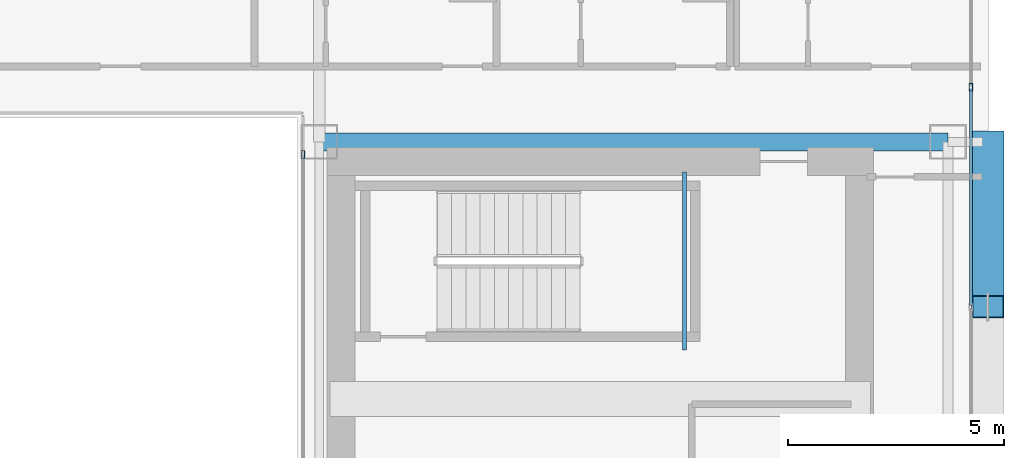
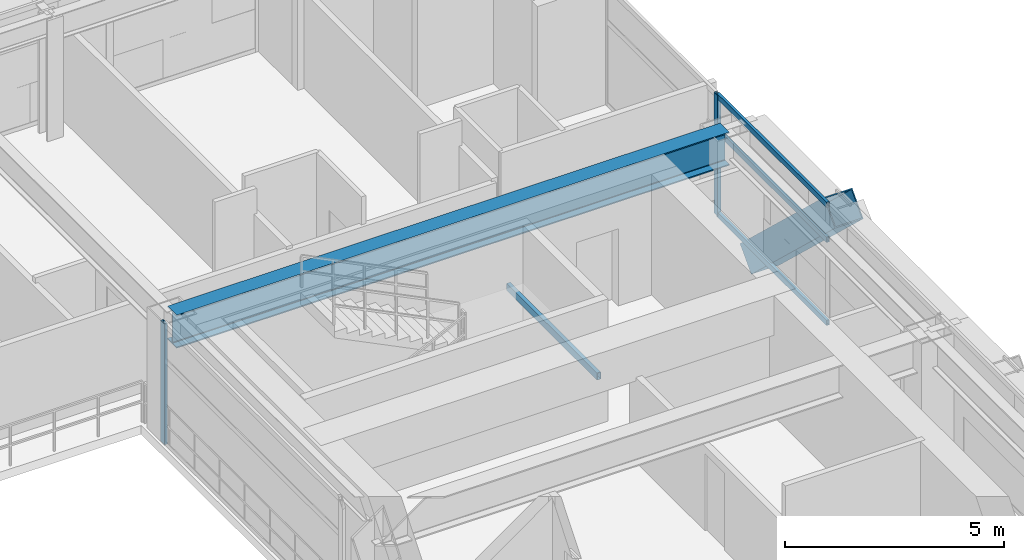
# One storey, part 23 of 39: 6 members, 2 beams, 2 elements without a shape of their own.
"""IFC4 building model written with IfcOpenShell, lengths in metres."""

from ifc_helpers import new_model, si_unit, direction, frame, origin, origin_2d, place, context, subcontext, project, spatial, hollow_rectangle, i_section, extrude, source, transform, mapped, material, layer, layer_set, material_profile, profile_set, type_object, element, aggregate, save


model = new_model("IFC4")

# Units and contexts
model_context = context("Model", 3, precision=1e-05, world=origin(), true_north=direction((0.0, 1.0)))
body_context = subcontext(model_context, "Body", "Model", "MODEL_VIEW")
ifc_project = project(units=[si_unit("LENGTHUNIT", "METRE"), si_unit("AREAUNIT", "SQUARE_METRE"), si_unit("VOLUMEUNIT", "CUBIC_METRE"), si_unit("PLANEANGLEUNIT", "RADIAN"), si_unit("MASSUNIT", "GRAM", prefix="KILO")], contexts=[model_context])

# Site, building, storey
site_placement = place(None, origin())
site = spatial("IfcSite", under=ifc_project, at=site_placement, CompositionType="ELEMENT")
building_placement = place(site_placement, origin())
building = spatial("IfcBuilding", under=site, at=building_placement, Name="Ocotamira Hotel", CompositionType="ELEMENT")
storey_placement = place(building_placement, frame((0.0, 0.0, 126.0)))
storey = spatial("IfcBuildingStorey", under=building, at=storey_placement, Name="L31", CompositionType="ELEMENT", Elevation=126.0)

# Beams
ifc_material_1 = material(Name="Steel ASTM A500 Grade C", Category="steel")
ifc_material_profile_1 = material_profile(ifc_material_1, hollow_rectangle(XDim=0.10009765625, YDim=0.199951171875, WallThickness=0.008056640625, at=origin_2d()), Name="HSS200X100X8")
ifc_profile_set_1 = profile_set([ifc_material_profile_1], Name="Steel ASTM A500 Grade C")
beam_type_1 = type_object("IfcBeamType", Name="BM-STLDG-HSS200", PredefinedType="BEAM", material=ifc_profile_set_1)
shared_shape_1 = source(origin(), body_context, "Body", "SweptSolid", [
    extrude(hollow_rectangle(XDim=0.10009765625, YDim=0.199951171875, WallThickness=0.008056640625, at=origin_2d()), origin(), (0.0, 0.0, 1.0), 4.1201171875),
])
beam_1_placement = place(storey_placement, frame((48.949951171875, 32.6298828125, 1.5), z_axis=(0.0, 1.0, 0.0), x_axis=(-1.0, 0.0, 0.0)))
element("IfcBeam", 1, at=beam_1_placement, inside=storey, type_object=beam_type_1, Name="L31 Stair ST-4 Landing Bearer 1", PredefinedType="BEAM", context=body_context, shape_type="MappedRepresentation", body=[
    mapped(shared_shape_1, transform((0.0, 0.0, 0.0), scale=1.0)),
])
ifc_material_2 = material(Name="Steel ASTM A992 Grade 50", Category="steel")
ifc_material_profile_2 = material_profile(ifc_material_2, i_section(OverallWidth=0.41796875, OverallDepth=0.927001953125, WebThickness=0.019287109375, FlangeThickness=0.031982421875, FilletRadius=0.02392578125, at=origin_2d()), Name="W36X231")
ifc_profile_set_2 = profile_set([ifc_material_profile_2], Name="Steel ASTM A992 Grade 50")
beam_type_2 = type_object("IfcBeamType", Name="BM-GIRD-W36X231", PredefinedType="BEAM", material=ifc_profile_set_2)
shared_shape_2 = source(origin(), body_context, "Body", "SweptSolid", [
    extrude(i_section(OverallWidth=0.41796875, OverallDepth=0.927001953125, WebThickness=0.019287109375, FlangeThickness=0.031982421875, FilletRadius=0.02392578125, at=origin_2d()), origin(), (0.0, 0.0, 1.0), 14.550048828125),
])
beam_2_placement = place(storey_placement, frame((40.5, 37.449951171875, 2.896484375), z_axis=(1.0, 0.0, 0.0), x_axis=(0.0, 1.0, 0.0)))
element("IfcBeam", 2, at=beam_2_placement, inside=storey, type_object=beam_type_2, Name="L31 Girder Y37.45 X40.5-55.05", PredefinedType="BEAM", context=body_context, shape_type="MappedRepresentation", body=[
    mapped(shared_shape_2, transform((0.0, 0.0, 0.0), scale=1.0)),
])

# Member
ifc_material_3 = material(Name="Pale-metal coated steel ASTM A913 Grade 65", Category="steel")
ifc_material_profile_3 = material_profile(ifc_material_3, hollow_rectangle(XDim=0.75, YDim=0.75, WallThickness=0.028076171875, at=origin_2d()), Name="BOX750X750X28")
ifc_profile_set_3 = profile_set([ifc_material_profile_3], Name="Pale-metal coated steel ASTM A913 Grade 65")
member_type_1 = type_object("IfcMemberType", Name="MEM-EXO-BOX750", PredefinedType="BRACE", material=ifc_profile_set_3)
shared_shape_3 = source(origin(), body_context, "Body", "SweptSolid", [
    extrude(hollow_rectangle(XDim=0.75, YDim=0.75, WallThickness=0.028076171875, at=origin_2d()), origin(), (0.0, 0.0, 1.0), 5.24658203125),
])
member_1_placement = place(storey_placement, frame((55.969970703125, 37.449951171875, -0.489990234375), z_axis=(0.0, -0.727442733726, 0.686168397078), x_axis=(1.0, 0.0, 0.0)))
element("IfcMember", 3, at=member_1_placement, inside=storey, type_object=member_type_1, Name="L31 Exoskeleton Diagrid E2.2", PredefinedType="BRACE", context=body_context, shape_type="MappedRepresentation", body=[
    mapped(shared_shape_3, transform((0.0, 0.0, 0.0), scale=1.0)),
])

# Curtain wall, members
ifc_material_4 = material(Name="Anodised pale-metal aluminium and solar glass", Category="aluminium")
ifc_layer_1 = layer(ifc_material_4, 0.179931640625)
ifc_layer_set_1 = layer_set([ifc_layer_1], Name="Anodised pale-metal aluminium and solar glass")
curtain_wall_type_1 = type_object("IfcCurtainWallType", Name="CW-SYS3-Z2", PredefinedType="NOTDEFINED", material=ifc_layer_set_1)
curtain_wall_1_placement = place(storey_placement, origin())
curtain_wall_1 = element("IfcCurtainWall", 4, at=curtain_wall_1_placement, inside=storey, type_object=curtain_wall_type_1, Name="L31 Curtain Wall CW-3 CW-L31-E", PredefinedType="NOTDEFINED")
ifc_material_5 = material(Name="Anodised pale-metal aluminium 6063-T6", Category="aluminium")
ifc_material_profile_4 = material_profile(ifc_material_5, hollow_rectangle(XDim=0.074951171875, YDim=0.14990234375, WallThickness=0.006103515625, at=origin_2d()), Name="HSS150X75X6")
ifc_profile_set_4 = profile_set([ifc_material_profile_4], Name="Anodised pale-metal aluminium 6063-T6")
member_type_2 = type_object("IfcMemberType", Name="CWT-150X75", PredefinedType="USERDEFINED", material=ifc_profile_set_4)
shared_shape_4 = source(origin(), body_context, "Body", "SweptSolid", [
    extrude(hollow_rectangle(XDim=0.074951171875, YDim=0.14990234375, WallThickness=0.006103515625, at=origin_2d()), origin(), (0.0, 0.0, 1.0), 5.005859375),
])
member_2_placement = place(storey_placement, frame((55.580078125, 33.66845703125, 0.03759765625), z_axis=(0.0, 1.0, 0.0), x_axis=(-1.0, 0.0, 0.0)))
member_2 = element("IfcMember", 5, at=member_2_placement, type_object=member_type_2, Name="CW-3 transom 6.1", ObjectType="TRANSOM", PredefinedType="USERDEFINED", context=body_context, shape_type="MappedRepresentation", body=[
    mapped(shared_shape_4, transform((0.0, 0.0, 0.0), scale=1.0)),
])
member_3_placement = place(storey_placement, frame((55.580078125, 33.66845703125, 2.35009765625), z_axis=(0.0, 1.0, 0.0), x_axis=(-1.0, 0.0, 0.0)))
member_3 = element("IfcMember", 6, at=member_3_placement, type_object=member_type_2, Name="CW-3 transom 6.2", ObjectType="TRANSOM", PredefinedType="USERDEFINED", context=body_context, shape_type="MappedRepresentation", body=[
    mapped(shared_shape_4, transform((0.0, 0.0, 0.0), scale=1.0)),
])
member_4_placement = place(storey_placement, frame((55.580078125, 33.66845703125, 3.322509765625), z_axis=(0.0, 1.0, 0.0), x_axis=(-1.0, 0.0, 0.0)))
member_4 = element("IfcMember", 7, at=member_4_placement, type_object=member_type_2, Name="CW-3 transom 6.3", ObjectType="TRANSOM", PredefinedType="USERDEFINED", context=body_context, shape_type="MappedRepresentation", body=[
    mapped(shared_shape_4, transform((0.0, 0.0, 0.0), scale=1.0)),
])
ifc_material_profile_5 = material_profile(ifc_material_5, hollow_rectangle(XDim=0.080078125, YDim=0.179931640625, WallThickness=0.006103515625, at=origin_2d()), Name="HSS180X80X6")
ifc_profile_set_5 = profile_set([ifc_material_profile_5], Name="Anodised pale-metal aluminium 6063-T6")
member_type_3 = type_object("IfcMemberType", Name="CWM-180X75", PredefinedType="MULLION", material=ifc_profile_set_5)
shared_shape_5 = source(origin(), body_context, "Body", "SweptSolid", [
    extrude(hollow_rectangle(XDim=0.080078125, YDim=0.179931640625, WallThickness=0.006103515625, at=origin_2d()), origin(), (0.0, 0.0, 1.0), 3.360107421875),
])
member_5_placement = place(storey_placement, frame((55.580078125, 38.71435546875, 0.0), z_axis=(0.0, 0.0, 1.0), x_axis=(-1.0, 0.0, 0.0)))
member_5 = element("IfcMember", 8, at=member_5_placement, type_object=member_type_3, Name="CW-3 mullion 7", PredefinedType="MULLION", context=body_context, shape_type="MappedRepresentation", body=[
    mapped(shared_shape_5, transform((0.0, 0.0, 0.0), scale=1.0)),
])
aggregate(curtain_wall_1, [member_5, member_2, member_3, member_4])

# Curtain wall, member
ifc_layer_2 = layer(ifc_material_4, 0.159912109375)
ifc_layer_set_2 = layer_set([ifc_layer_2], Name="Anodised pale-metal aluminium and solar glass")
curtain_wall_type_2 = type_object("IfcCurtainWallType", Name="CW-SYS6-ATR", PredefinedType="NOTDEFINED", material=ifc_layer_set_2)
curtain_wall_2_placement = place(storey_placement, origin())
curtain_wall_2 = element("IfcCurtainWall", 9, at=curtain_wall_2_placement, inside=storey, type_object=curtain_wall_type_2, Name="L31 Curtain Wall CW-6 CW-L31-ATRE2", PredefinedType="NOTDEFINED")
member_6_placement = place(storey_placement, frame((40.1201171875, 37.159912109375, 0.0), z_axis=(0.0, 0.0, 1.0), x_axis=(-1.0, 0.0, 0.0)))
member_6 = element("IfcMember", 10, at=member_6_placement, type_object=member_type_3, Name="CW-6 mullion 2", PredefinedType="MULLION", context=body_context, shape_type="MappedRepresentation", body=[
    mapped(shared_shape_5, transform((0.0, 0.0, 0.0), scale=1.0)),
])
aggregate(curtain_wall_2, [member_6])

save(model, "model.ifc")
